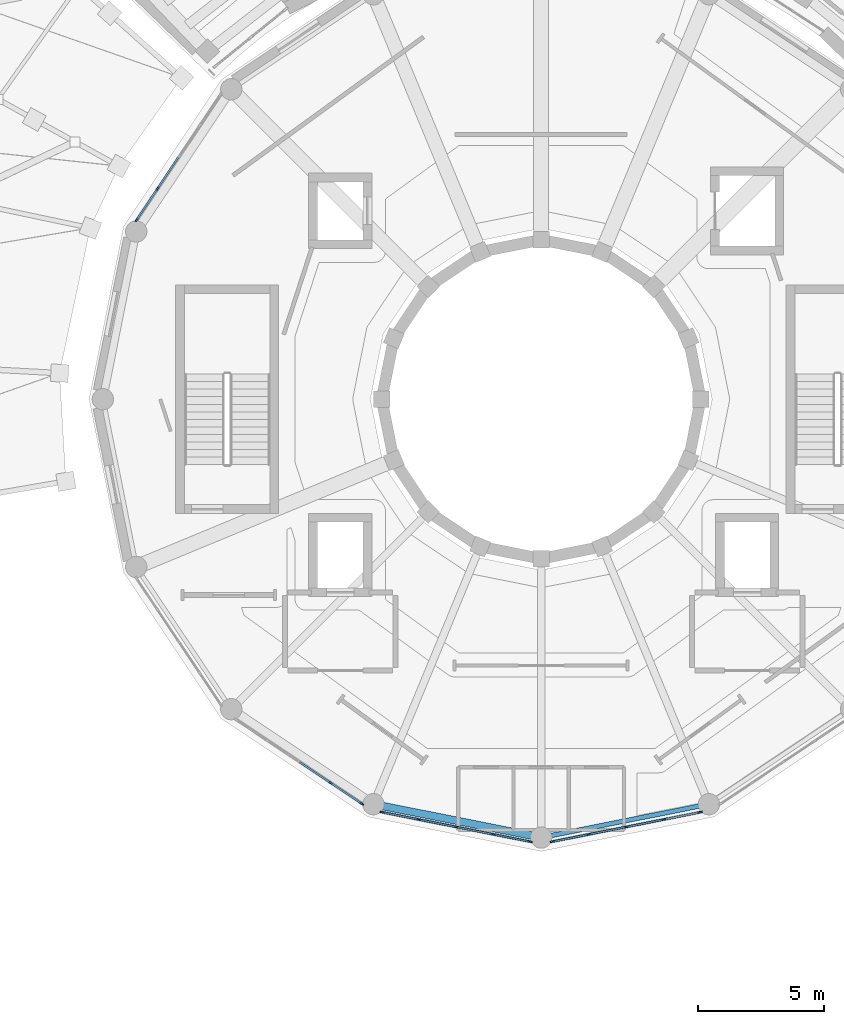
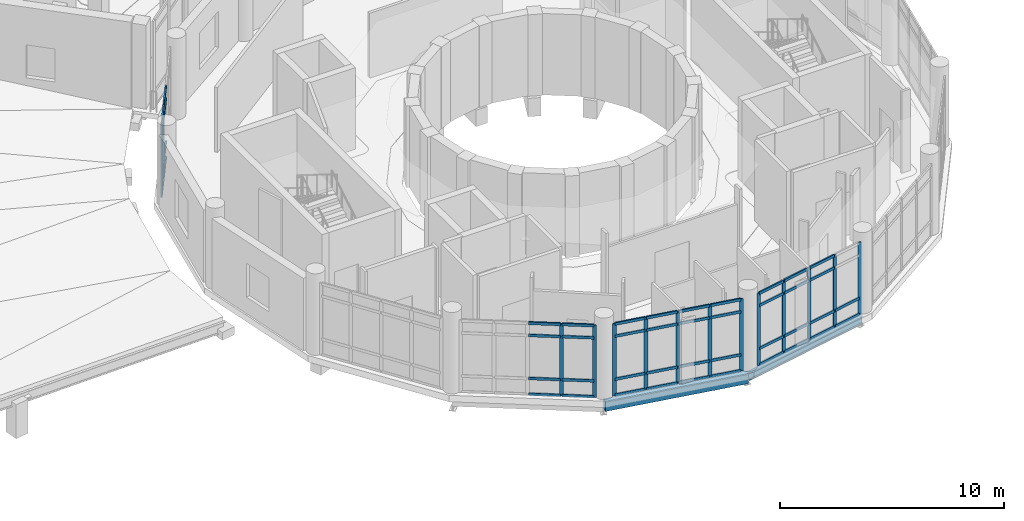
# One storey, part 9 of 49: 60 members, 2 beams, 4 elements without a shape of their own.
"""IFC4 building model written with IfcOpenShell, lengths in metres."""

import ifcopenshell
import ifcopenshell.guid

model = None  # the IFC model being written
_history = None  # IfcOwnerHistory: only IFC2X3 demands one
_inside = {}  # id of a spatial element -> (the spatial element, [elements in it])
_under = {}  # id of a project, library or spatial element -> (it, [spatial elements below it])
_declared = {}  # id of a project -> (the project, [libraries it declares])
_typed = {}  # id of a type object -> (the type object, [elements of that type])
_made_of = {}  # id of a material, layer set ... -> (it, [elements and type objects made of it])


def new_model(schema):
    """Start an empty IFC model of exactly this schema.

    Asked for "IFC4X3", IfcOpenShell would pick the latest addendum, in which some entities
    have other attributes; the version numbers below select the first issue.
    IFC2X3 requires an IfcOwnerHistory on every rooted entity: one is made here for all.
    """
    global model, _history
    if schema == "IFC4X3":
        model = ifcopenshell.file(schema_version=(4, 3, 0, 0))
    else:
        model = ifcopenshell.file(schema=schema)
    _inside.clear()
    _under.clear()
    _declared.clear()
    _typed.clear()
    _made_of.clear()
    _history = None
    if model.schema == "IFC2X3":
        org = make("IfcOrganization", Name="unknown")
        user = make(
            "IfcPersonAndOrganization",
            ThePerson=make("IfcPerson", FamilyName="unknown"),
            TheOrganization=org,
        )
        app = make(
            "IfcApplication",
            ApplicationDeveloper=org,
            Version="unknown",
            ApplicationFullName="unknown",
            ApplicationIdentifier="unknown",
        )
        _history = make(
            "IfcOwnerHistory",
            OwningUser=user,
            OwningApplication=app,
            ChangeAction="ADDED",
            CreationDate=0,
        )
    return model


def make(cls, **values):
    """One entity of the class cls with the attributes given. An attribute that is None is left unset."""
    return model.create_entity(
        cls, **{name: value for name, value in values.items() if value is not None}
    )


def rooted(cls, **values):
    """An entity with a GlobalId (a new one), such as an element, a storey or a relation."""
    return make(cls, GlobalId=ifcopenshell.guid.new(), OwnerHistory=_history, **values)


def si_unit(unit_type, name, prefix=None):
    """IfcSIUnit, for example si_unit("LENGTHUNIT", "METRE", prefix="MILLI")."""
    return make("IfcSIUnit", UnitType=unit_type, Prefix=prefix, Name=name)


def assignment(units):
    """IfcUnitAssignment: the units of a project."""
    return None if units is None else make("IfcUnitAssignment", Units=units)


def point(xyz):
    """IfcCartesianPoint."""
    return None if xyz is None else make("IfcCartesianPoint", Coordinates=xyz)


def direction(xyz):
    """IfcDirection."""
    return None if xyz is None else make("IfcDirection", DirectionRatios=xyz)


def frame(location, z_axis=None, x_axis=None):
    """IfcAxis2Placement3D, a coordinate frame: its origin and axes. An axis left out is left unset."""
    return make(
        "IfcAxis2Placement3D",
        Location=point(location),
        Axis=direction(z_axis),
        RefDirection=direction(x_axis),
    )


def frame_2d(location, x_axis=None):
    """IfcAxis2Placement2D, a coordinate frame in the plane: its origin and x axis."""
    return make(
        "IfcAxis2Placement2D", Location=point(location), RefDirection=direction(x_axis)
    )


def origin():
    """The frame at (0, 0, 0) with its axes left unset."""
    return frame((0.0, 0.0, 0.0))


def origin_2d():
    """The frame at (0, 0) in the plane with its x axis left unset."""
    return frame_2d((0.0, 0.0))


def place(relative_to, where):
    """IfcLocalPlacement: puts the frame where relative to a parent placement (None: the world)."""
    return make(
        "IfcLocalPlacement", PlacementRelTo=relative_to, RelativePlacement=where
    )


def context(
    kind, dimensions, precision=None, world=None, true_north=None, identifier=None
):
    """IfcGeometricRepresentationContext, for example the 3D "Model" context."""
    return make(
        "IfcGeometricRepresentationContext",
        ContextIdentifier=identifier,
        ContextType=kind,
        CoordinateSpaceDimension=dimensions,
        Precision=precision,
        WorldCoordinateSystem=world,
        TrueNorth=true_north,
    )


def subcontext(parent, identifier, kind, view, scale=None):
    """IfcGeometricRepresentationSubContext, for example "Body" below "Model"."""
    return make(
        "IfcGeometricRepresentationSubContext",
        ContextIdentifier=identifier,
        ContextType=kind,
        ParentContext=parent,
        TargetScale=scale,
        TargetView=view,
    )


def project(units=None, contexts=None):
    """IfcProject with its units and contexts."""
    return rooted(
        "IfcProject",
        Name="project",
        RepresentationContexts=contexts,
        UnitsInContext=assignment(units),
    )


def spatial(cls, under=None, at=None, **own):
    """A site, building, storey or space (cls), placed at a placement, below another one or the project."""
    s = rooted(cls, ObjectPlacement=at, **own)
    if under is not None:
        _under.setdefault(under.id(), (under, []))[1].append(s)
    return s


def profile(cls, at=None, kind="AREA", **sizes):
    """A parametric profile (cls). Its sizes go by their IFC names, for example OverallWidth=200.0."""
    return make(cls, ProfileType=kind, Position=at, **sizes)


def rectangle(**sizes):
    """IfcRectangleProfileDef."""
    return profile("IfcRectangleProfileDef", **sizes)


def i_section(**sizes):
    """IfcIShapeProfileDef."""
    return profile("IfcIShapeProfileDef", **sizes)


def extrude(swept, where, along, depth):
    """IfcExtrudedAreaSolid: the profile swept, set in the frame where, extruded along a direction by depth."""
    return make(
        "IfcExtrudedAreaSolid",
        SweptArea=swept,
        Position=where,
        ExtrudedDirection=direction(along),
        Depth=depth,
    )


def shape(context_of_items, identifier, shape_type, items):
    """IfcShapeRepresentation: the items that make up one representation, for example the "Body"."""
    return make(
        "IfcShapeRepresentation",
        ContextOfItems=context_of_items,
        RepresentationIdentifier=identifier,
        RepresentationType=shape_type,
        Items=items,
    )


def material(Name=None, Category=None):
    """IfcMaterial."""
    return make("IfcMaterial", Name=Name, Category=Category)


def material_profile(
    of_material, cross_section, Name=None, Category=None, Priority=None
):
    """IfcMaterialProfile: a cross section and its material."""
    return make(
        "IfcMaterialProfile",
        Name=Name,
        Material=of_material,
        Profile=cross_section,
        Priority=Priority,
        Category=Category,
    )


def profile_set(profiles, Name=None, composite=None):
    """IfcMaterialProfileSet."""
    return make(
        "IfcMaterialProfileSet",
        Name=Name,
        MaterialProfiles=profiles,
        CompositeProfile=composite,
    )


def made_of(thing, what):
    """Note that an element or type object is made of a material, layer set ...; save() writes the relation."""
    if what is not None:
        _made_of.setdefault(what.id(), (what, []))[1].append(thing)
    return thing


def type_object(cls, material=None, **own):
    """A type object (cls), such as IfcWallType, which elements share."""
    return made_of(rooted(cls, **own), material)


def element(
    cls,
    number,
    at=None,
    inside=None,
    cuts=None,
    type_object=None,
    material=None,
    context=None,
    identifier="Body",
    shape_type=None,
    held_by="IfcProductDefinitionShape",
    body=None,
    shapes=None,
    **own,
):
    """One element of the class cls, such as IfcWall. Its Tag is "e" and its number.

    at: its placement. inside: the storey or other place that contains it. cuts: it is an
    opening in that element (IfcRelVoidsElement). A single representation is given by context,
    identifier, shape_type and body (its items); several are given by shapes. held_by: the class
    of the entity that holds the representations. save() writes the other relations.
    """
    e = rooted(cls, Tag="e%d" % number, ObjectPlacement=at, **own)
    if body is not None:
        shapes = [shape(context, identifier, shape_type, body)]
    if shapes is not None:
        e.Representation = make(held_by, Representations=shapes)
    if inside is not None:
        _inside.setdefault(inside.id(), (inside, []))[1].append(e)
    if cuts is not None:
        rooted(
            "IfcRelVoidsElement", RelatingBuildingElement=cuts, RelatedOpeningElement=e
        )
    if type_object is not None:
        _typed.setdefault(type_object.id(), (type_object, []))[1].append(e)
    return made_of(e, material)


def aggregate(whole, parts):
    """IfcRelAggregates: a whole, such as a stair, and the parts it consists of."""
    return rooted("IfcRelAggregates", RelatingObject=whole, RelatedObjects=parts)


def save(model, path):
    """Write the relations noted so far, then the file.

    IfcRelAggregates (storeys below a building ...), IfcRelContainedInSpatialStructure (elements
    in a storey), IfcRelDefinesByType, IfcRelAssociatesMaterial and IfcRelDeclares: one each for
    every whole, place, type object, material and project.
    """
    for whole, parts in _under.values():
        aggregate(whole, parts)
    for where, things in _inside.values():
        rooted(
            "IfcRelContainedInSpatialStructure",
            RelatedElements=things,
            RelatingStructure=where,
        )
    for kind, things in _typed.values():
        rooted("IfcRelDefinesByType", RelatedObjects=things, RelatingType=kind)
    for what, things in _made_of.values():
        rooted("IfcRelAssociatesMaterial", RelatedObjects=things, RelatingMaterial=what)
    for by, libraries in _declared.values():
        rooted("IfcRelDeclares", RelatingContext=by, RelatedDefinitions=libraries)
    model.write(path)


model = new_model("IFC4")

# Units and contexts
model_context = context("Model", 3, precision=1e-05, world=origin(), true_north=direction((0.0, 1.0)))
body_context = subcontext(model_context, "Body", "Model", "MODEL_VIEW")
ifc_project = project(units=[si_unit("LENGTHUNIT", "METRE"), si_unit("AREAUNIT", "SQUARE_METRE"), si_unit("VOLUMEUNIT", "CUBIC_METRE"), si_unit("PLANEANGLEUNIT", "RADIAN"), si_unit("MASSUNIT", "GRAM", prefix="KILO")], contexts=[model_context])

# Site, building, storey
site_placement = place(None, origin())
site = spatial("IfcSite", under=ifc_project, at=site_placement, CompositionType="ELEMENT")
building_placement = place(site_placement, origin())
building = spatial("IfcBuilding", under=site, at=building_placement, Name="Soyqirgoq Riverine Aquarium", CompositionType="ELEMENT")
storey_placement = place(building_placement, frame((0.0, 0.0, 15.0)))
storey = spatial("IfcBuildingStorey", under=building, at=storey_placement, Name="L04", CompositionType="ELEMENT", Elevation=15.0)

# Curtain wall, members
ifc_material_1 = material(Name="Anodised aluminium thermally broken triple low-E glazing", Category="aluminium")
curtain_wall_type = type_object("IfcCurtainWallType", Name="CW_DrumGallery_Unitised", PredefinedType="NOTDEFINED", material=ifc_material_1)
curtain_wall_1_placement = place(storey_placement, origin())
curtain_wall_1 = element("IfcCurtainWall", 1, at=curtain_wall_1_placement, inside=storey, type_object=curtain_wall_type, Name="V1 L04 Curtain Wall 026", PredefinedType="NOTDEFINED")
ifc_material_2 = material(Name="Anodised aluminium 6063-T6", Category="aluminium")
ifc_material_profile_1 = material_profile(ifc_material_2, rectangle(XDim=0.06494140625, YDim=0.179931640625, at=origin_2d()), Name="ALU-M 65x180")
ifc_profile_set_1 = profile_set([ifc_material_profile_1], Name="Anodised aluminium 6063-T6")
member_type_1 = type_object("IfcMemberType", Name="CWMullion_65x180", PredefinedType="MULLION", material=ifc_profile_set_1)
member_1_placement = place(storey_placement, frame((40.72314453125, 65.3837890625, 0.0), z_axis=(0.0, 0.0, 1.0), x_axis=(0.831463994905, -0.555578639957, 0.0)))
member_1 = element("IfcMember", 2, at=member_1_placement, type_object=member_type_1, Name="CW-01 mullion 4", PredefinedType="MULLION", context=body_context, shape_type="SweptSolid", body=[
    extrude(rectangle(XDim=0.06494140625, YDim=0.179931640625, at=origin_2d()), origin(), (0.0, 0.0, 1.0), 3.949951171875),
])
member_2_placement = place(storey_placement, frame((39.898681640625, 64.149658203125, 0.0), z_axis=(0.0, 0.0, 1.0), x_axis=(0.831463994905, -0.555578639957, 0.0)))
member_2 = element("IfcMember", 3, at=member_2_placement, type_object=member_type_1, Name="CW-01 mullion 5", PredefinedType="MULLION", context=body_context, shape_type="SweptSolid", body=[
    extrude(rectangle(XDim=0.06494140625, YDim=0.179931640625, at=origin_2d()), origin(), (0.0, 0.0, 1.0), 3.949951171875),
])

curtain_wall_2_placement = place(storey_placement, origin())
curtain_wall_2 = element("IfcCurtainWall", 4, at=curtain_wall_2_placement, inside=storey, type_object=curtain_wall_type, Name="V1 L04 Curtain Wall 044", PredefinedType="NOTDEFINED")
member_3_placement = place(storey_placement, frame((47.6162109375, 41.72314453125, 0.0), z_axis=(0.0, 0.0, 1.0), x_axis=(0.555578639957, 0.831463994905, 0.0)))
member_3 = element("IfcMember", 5, at=member_3_placement, type_object=member_type_1, Name="CW-01 mullion 4", PredefinedType="MULLION", context=body_context, shape_type="SweptSolid", body=[
    extrude(rectangle(XDim=0.06494140625, YDim=0.179931640625, at=origin_2d()), origin(), (0.0, 0.0, 1.0), 3.949951171875),
])
member_4_placement = place(storey_placement, frame((48.850341796875, 40.898681640625, 0.0), z_axis=(0.0, 0.0, 1.0), x_axis=(0.555578639957, 0.831463994905, 0.0)))
member_4 = element("IfcMember", 6, at=member_4_placement, type_object=member_type_1, Name="CW-01 mullion 5", PredefinedType="MULLION", context=body_context, shape_type="SweptSolid", body=[
    extrude(rectangle(XDim=0.06494140625, YDim=0.179931640625, at=origin_2d()), origin(), (0.0, 0.0, 1.0), 3.949951171875),
])

curtain_wall_3_placement = place(storey_placement, origin())
curtain_wall_3 = element("IfcCurtainWall", 7, at=curtain_wall_3_placement, inside=storey, type_object=curtain_wall_type, Name="V1 L04 Curtain Wall 051", PredefinedType="NOTDEFINED")
member_5_placement = place(storey_placement, frame((49.67041015625, 40.55908203125, 0.0), z_axis=(0.0, 0.0, 1.0), x_axis=(0.195101560405, 0.980783044882, 0.0)))
member_5 = element("IfcMember", 8, at=member_5_placement, type_object=member_type_1, Name="CW-01 mullion 1", PredefinedType="MULLION", context=body_context, shape_type="SweptSolid", body=[
    extrude(rectangle(XDim=0.06494140625, YDim=0.179931640625, at=origin_2d()), origin(), (0.0, 0.0, 1.0), 3.949951171875),
])
member_6_placement = place(storey_placement, frame((51.1259765625, 40.26953125, 0.0), z_axis=(0.0, 0.0, 1.0), x_axis=(0.195101560405, 0.980783044882, 0.0)))
member_6 = element("IfcMember", 9, at=member_6_placement, type_object=member_type_1, Name="CW-01 mullion 2", PredefinedType="MULLION", context=body_context, shape_type="SweptSolid", body=[
    extrude(rectangle(XDim=0.06494140625, YDim=0.179931640625, at=origin_2d()), origin(), (0.0, 0.0, 1.0), 3.949951171875),
])
member_7_placement = place(storey_placement, frame((52.61328125, 39.9736328125, 0.0), z_axis=(0.0, 0.0, 1.0), x_axis=(0.195101560405, 0.980783044882, 0.0)))
member_7 = element("IfcMember", 10, at=member_7_placement, type_object=member_type_1, Name="CW-01 mullion 3", PredefinedType="MULLION", context=body_context, shape_type="SweptSolid", body=[
    extrude(rectangle(XDim=0.06494140625, YDim=0.179931640625, at=origin_2d()), origin(), (0.0, 0.0, 1.0), 3.949951171875),
])
member_8_placement = place(storey_placement, frame((54.1005859375, 39.677734375, 0.0), z_axis=(0.0, 0.0, 1.0), x_axis=(0.195101560405, 0.980783044882, 0.0)))
member_8 = element("IfcMember", 11, at=member_8_placement, type_object=member_type_1, Name="CW-01 mullion 4", PredefinedType="MULLION", context=body_context, shape_type="SweptSolid", body=[
    extrude(rectangle(XDim=0.06494140625, YDim=0.179931640625, at=origin_2d()), origin(), (0.0, 0.0, 1.0), 3.949951171875),
])
member_9_placement = place(storey_placement, frame((55.55615234375, 39.38818359375, 0.0), z_axis=(0.0, 0.0, 1.0), x_axis=(0.195101560405, 0.980783044882, 0.0)))
member_9 = element("IfcMember", 12, at=member_9_placement, type_object=member_type_1, Name="CW-01 mullion 5", PredefinedType="MULLION", context=body_context, shape_type="SweptSolid", body=[
    extrude(rectangle(XDim=0.06494140625, YDim=0.179931640625, at=origin_2d()), origin(), (0.0, 0.0, 1.0), 3.949951171875),
])

curtain_wall_4_placement = place(storey_placement, origin())
curtain_wall_4 = element("IfcCurtainWall", 13, at=curtain_wall_4_placement, inside=storey, type_object=curtain_wall_type, Name="V1 L04 Curtain Wall 058", PredefinedType="NOTDEFINED")
member_10_placement = place(storey_placement, frame((56.44384765625, 39.38818359375, 0.0), z_axis=(0.0, 0.0, 1.0), x_axis=(-0.195101560405, 0.980783044882, 0.0)))
member_10 = element("IfcMember", 14, at=member_10_placement, type_object=member_type_1, Name="CW-01 mullion 1", PredefinedType="MULLION", context=body_context, shape_type="SweptSolid", body=[
    extrude(rectangle(XDim=0.06494140625, YDim=0.179931640625, at=origin_2d()), origin(), (0.0, 0.0, 1.0), 3.949951171875),
])
member_11_placement = place(storey_placement, frame((57.8994140625, 39.677734375, 0.0), z_axis=(0.0, 0.0, 1.0), x_axis=(-0.195101560405, 0.980783044882, 0.0)))
member_11 = element("IfcMember", 15, at=member_11_placement, type_object=member_type_1, Name="CW-01 mullion 2", PredefinedType="MULLION", context=body_context, shape_type="SweptSolid", body=[
    extrude(rectangle(XDim=0.06494140625, YDim=0.179931640625, at=origin_2d()), origin(), (0.0, 0.0, 1.0), 3.949951171875),
])
member_12_placement = place(storey_placement, frame((59.38671875, 39.9736328125, 0.0), z_axis=(0.0, 0.0, 1.0), x_axis=(-0.195101560405, 0.980783044882, 0.0)))
member_12 = element("IfcMember", 16, at=member_12_placement, type_object=member_type_1, Name="CW-01 mullion 3", PredefinedType="MULLION", context=body_context, shape_type="SweptSolid", body=[
    extrude(rectangle(XDim=0.06494140625, YDim=0.179931640625, at=origin_2d()), origin(), (0.0, 0.0, 1.0), 3.949951171875),
])
member_13_placement = place(storey_placement, frame((60.8740234375, 40.26953125, 0.0), z_axis=(0.0, 0.0, 1.0), x_axis=(-0.195101560405, 0.980783044882, 0.0)))
member_13 = element("IfcMember", 17, at=member_13_placement, type_object=member_type_1, Name="CW-01 mullion 4", PredefinedType="MULLION", context=body_context, shape_type="SweptSolid", body=[
    extrude(rectangle(XDim=0.06494140625, YDim=0.179931640625, at=origin_2d()), origin(), (0.0, 0.0, 1.0), 3.949951171875),
])
member_14_placement = place(storey_placement, frame((62.32958984375, 40.55908203125, 0.0), z_axis=(0.0, 0.0, 1.0), x_axis=(-0.195101560405, 0.980783044882, 0.0)))
member_14 = element("IfcMember", 18, at=member_14_placement, type_object=member_type_1, Name="CW-01 mullion 5", PredefinedType="MULLION", context=body_context, shape_type="SweptSolid", body=[
    extrude(rectangle(XDim=0.06494140625, YDim=0.179931640625, at=origin_2d()), origin(), (0.0, 0.0, 1.0), 3.949951171875),
])

# Member
ifc_material_3 = material(Name="Anodised aluminium 6063-T6", Category="aluminium")
ifc_material_profile_2 = material_profile(ifc_material_3, rectangle(XDim=0.074951171875, YDim=0.14990234375, at=origin_2d()), Name="ALU-T 75x150")
ifc_profile_set_2 = profile_set([ifc_material_profile_2], Name="Anodised aluminium 6063-T6")
member_type_2 = type_object("IfcMemberType", Name="CWTransom_75x150", PredefinedType="USERDEFINED", material=ifc_profile_set_2)
member_15_placement = place(storey_placement, frame((41.547607421875, 66.61767578125, 0.03759765625), z_axis=(-0.555514980368, -0.831506528289, 0.0), x_axis=(0.831506528289, -0.555514980368, 0.0)))
member_15 = element("IfcMember", 19, at=member_15_placement, type_object=member_type_2, Name="CW-01 transom 3.1", ObjectType="TRANSOM", PredefinedType="USERDEFINED", context=body_context, shape_type="SweptSolid", body=[
    extrude(rectangle(XDim=0.074951171875, YDim=0.14990234375, at=origin_2d()), origin(), (0.0, 0.0, 1.0), 1.45166015625),
])

member_16_placement = place(storey_placement, frame((41.547607421875, 66.61767578125, 0.89990234375), z_axis=(-0.555514980368, -0.831506528289, 0.0), x_axis=(0.831506528289, -0.555514980368, 0.0)))
member_16 = element("IfcMember", 20, at=member_16_placement, type_object=member_type_2, Name="CW-01 transom 3.2", ObjectType="TRANSOM", PredefinedType="USERDEFINED", context=body_context, shape_type="SweptSolid", body=[
    extrude(rectangle(XDim=0.074951171875, YDim=0.14990234375, at=origin_2d()), origin(), (0.0, 0.0, 1.0), 1.45166015625),
])

member_17_placement = place(storey_placement, frame((41.547607421875, 66.61767578125, 3.25), z_axis=(-0.555514980368, -0.831506528289, 0.0), x_axis=(0.831506528289, -0.555514980368, 0.0)))
member_17 = element("IfcMember", 21, at=member_17_placement, type_object=member_type_2, Name="CW-01 transom 3.3", ObjectType="TRANSOM", PredefinedType="USERDEFINED", context=body_context, shape_type="SweptSolid", body=[
    extrude(rectangle(XDim=0.074951171875, YDim=0.14990234375, at=origin_2d()), origin(), (0.0, 0.0, 1.0), 1.45166015625),
])

member_18_placement = place(storey_placement, frame((41.547607421875, 66.61767578125, 3.91259765625), z_axis=(-0.555514980368, -0.831506528289, 0.0), x_axis=(0.831506528289, -0.555514980368, 0.0)))
member_18 = element("IfcMember", 22, at=member_18_placement, type_object=member_type_2, Name="CW-01 transom 3.4", ObjectType="TRANSOM", PredefinedType="USERDEFINED", context=body_context, shape_type="SweptSolid", body=[
    extrude(rectangle(XDim=0.074951171875, YDim=0.14990234375, at=origin_2d()), origin(), (0.0, 0.0, 1.0), 1.45166015625),
])

member_19_placement = place(storey_placement, frame((40.705078125, 65.356689453125, 0.03759765625), z_axis=(-0.55553367483, -0.831494038542, 0.0), x_axis=(0.831494038542, -0.55553367483, 0.0)))
member_19 = element("IfcMember", 23, at=member_19_placement, type_object=member_type_2, Name="CW-01 transom 4.1", ObjectType="TRANSOM", PredefinedType="USERDEFINED", context=body_context, shape_type="SweptSolid", body=[
    extrude(rectangle(XDim=0.074951171875, YDim=0.14990234375, at=origin_2d()), origin(), (0.0, 0.0, 1.0), 1.4189453125),
])

member_20_placement = place(storey_placement, frame((40.705078125, 65.356689453125, 0.89990234375), z_axis=(-0.55553367483, -0.831494038542, 0.0), x_axis=(0.831494038542, -0.55553367483, 0.0)))
member_20 = element("IfcMember", 24, at=member_20_placement, type_object=member_type_2, Name="CW-01 transom 4.2", ObjectType="TRANSOM", PredefinedType="USERDEFINED", context=body_context, shape_type="SweptSolid", body=[
    extrude(rectangle(XDim=0.074951171875, YDim=0.14990234375, at=origin_2d()), origin(), (0.0, 0.0, 1.0), 1.4189453125),
])

member_21_placement = place(storey_placement, frame((40.705078125, 65.356689453125, 3.25), z_axis=(-0.55553367483, -0.831494038542, 0.0), x_axis=(0.831494038542, -0.55553367483, 0.0)))
member_21 = element("IfcMember", 25, at=member_21_placement, type_object=member_type_2, Name="CW-01 transom 4.3", ObjectType="TRANSOM", PredefinedType="USERDEFINED", context=body_context, shape_type="SweptSolid", body=[
    extrude(rectangle(XDim=0.074951171875, YDim=0.14990234375, at=origin_2d()), origin(), (0.0, 0.0, 1.0), 1.4189453125),
])

member_22_placement = place(storey_placement, frame((40.705078125, 65.356689453125, 3.91259765625), z_axis=(-0.55553367483, -0.831494038542, 0.0), x_axis=(0.831494038542, -0.55553367483, 0.0)))
member_22 = element("IfcMember", 26, at=member_22_placement, type_object=member_type_2, Name="CW-01 transom 4.4", ObjectType="TRANSOM", PredefinedType="USERDEFINED", context=body_context, shape_type="SweptSolid", body=[
    extrude(rectangle(XDim=0.074951171875, YDim=0.14990234375, at=origin_2d()), origin(), (0.0, 0.0, 1.0), 1.4189453125),
])

aggregate(curtain_wall_1, [member_1, member_2, member_15, member_16, member_17, member_18, member_19, member_20, member_21, member_22])

member_23_placement = place(storey_placement, frame((46.38232421875, 42.547607421875, 0.03759765625), z_axis=(0.831506528289, -0.555514980368, 0.0), x_axis=(0.555514980368, 0.831506528289, 0.0)))
member_23 = element("IfcMember", 27, at=member_23_placement, type_object=member_type_2, Name="CW-01 transom 3.1", ObjectType="TRANSOM", PredefinedType="USERDEFINED", context=body_context, shape_type="SweptSolid", body=[
    extrude(rectangle(XDim=0.074951171875, YDim=0.14990234375, at=origin_2d()), origin(), (0.0, 0.0, 1.0), 1.45166015625),
])

member_24_placement = place(storey_placement, frame((46.38232421875, 42.547607421875, 0.89990234375), z_axis=(0.831506528289, -0.555514980368, 0.0), x_axis=(0.555514980368, 0.831506528289, 0.0)))
member_24 = element("IfcMember", 28, at=member_24_placement, type_object=member_type_2, Name="CW-01 transom 3.2", ObjectType="TRANSOM", PredefinedType="USERDEFINED", context=body_context, shape_type="SweptSolid", body=[
    extrude(rectangle(XDim=0.074951171875, YDim=0.14990234375, at=origin_2d()), origin(), (0.0, 0.0, 1.0), 1.45166015625),
])

member_25_placement = place(storey_placement, frame((46.38232421875, 42.547607421875, 3.25), z_axis=(0.831506528289, -0.555514980368, 0.0), x_axis=(0.555514980368, 0.831506528289, 0.0)))
member_25 = element("IfcMember", 29, at=member_25_placement, type_object=member_type_2, Name="CW-01 transom 3.3", ObjectType="TRANSOM", PredefinedType="USERDEFINED", context=body_context, shape_type="SweptSolid", body=[
    extrude(rectangle(XDim=0.074951171875, YDim=0.14990234375, at=origin_2d()), origin(), (0.0, 0.0, 1.0), 1.45166015625),
])

member_26_placement = place(storey_placement, frame((46.38232421875, 42.547607421875, 3.91259765625), z_axis=(0.831506528289, -0.555514980368, 0.0), x_axis=(0.555514980368, 0.831506528289, 0.0)))
member_26 = element("IfcMember", 30, at=member_26_placement, type_object=member_type_2, Name="CW-01 transom 3.4", ObjectType="TRANSOM", PredefinedType="USERDEFINED", context=body_context, shape_type="SweptSolid", body=[
    extrude(rectangle(XDim=0.074951171875, YDim=0.14990234375, at=origin_2d()), origin(), (0.0, 0.0, 1.0), 1.45166015625),
])

member_27_placement = place(storey_placement, frame((47.643310546875, 41.705078125, 0.03759765625), z_axis=(0.831494038542, -0.55553367483, 0.0), x_axis=(0.55553367483, 0.831494038542, 0.0)))
member_27 = element("IfcMember", 31, at=member_27_placement, type_object=member_type_2, Name="CW-01 transom 4.1", ObjectType="TRANSOM", PredefinedType="USERDEFINED", context=body_context, shape_type="SweptSolid", body=[
    extrude(rectangle(XDim=0.074951171875, YDim=0.14990234375, at=origin_2d()), origin(), (0.0, 0.0, 1.0), 1.4189453125),
])

member_28_placement = place(storey_placement, frame((47.643310546875, 41.705078125, 0.89990234375), z_axis=(0.831494038542, -0.55553367483, 0.0), x_axis=(0.55553367483, 0.831494038542, 0.0)))
member_28 = element("IfcMember", 32, at=member_28_placement, type_object=member_type_2, Name="CW-01 transom 4.2", ObjectType="TRANSOM", PredefinedType="USERDEFINED", context=body_context, shape_type="SweptSolid", body=[
    extrude(rectangle(XDim=0.074951171875, YDim=0.14990234375, at=origin_2d()), origin(), (0.0, 0.0, 1.0), 1.4189453125),
])

member_29_placement = place(storey_placement, frame((47.643310546875, 41.705078125, 3.25), z_axis=(0.831494038542, -0.55553367483, 0.0), x_axis=(0.55553367483, 0.831494038542, 0.0)))
member_29 = element("IfcMember", 33, at=member_29_placement, type_object=member_type_2, Name="CW-01 transom 4.3", ObjectType="TRANSOM", PredefinedType="USERDEFINED", context=body_context, shape_type="SweptSolid", body=[
    extrude(rectangle(XDim=0.074951171875, YDim=0.14990234375, at=origin_2d()), origin(), (0.0, 0.0, 1.0), 1.4189453125),
])

member_30_placement = place(storey_placement, frame((47.643310546875, 41.705078125, 3.91259765625), z_axis=(0.831494038542, -0.55553367483, 0.0), x_axis=(0.55553367483, 0.831494038542, 0.0)))
member_30 = element("IfcMember", 34, at=member_30_placement, type_object=member_type_2, Name="CW-01 transom 4.4", ObjectType="TRANSOM", PredefinedType="USERDEFINED", context=body_context, shape_type="SweptSolid", body=[
    extrude(rectangle(XDim=0.074951171875, YDim=0.14990234375, at=origin_2d()), origin(), (0.0, 0.0, 1.0), 1.4189453125),
])

aggregate(curtain_wall_2, [member_3, member_4, member_23, member_24, member_25, member_26, member_27, member_28, member_29, member_30])

member_31_placement = place(storey_placement, frame((49.7021484375, 40.552734375, 0.03759765625), z_axis=(0.980785260864, -0.195090420246, 0.0), x_axis=(0.195090420246, 0.980785260864, 0.0)))
member_31 = element("IfcMember", 35, at=member_31_placement, type_object=member_type_2, Name="CW-01 transom 1.1", ObjectType="TRANSOM", PredefinedType="USERDEFINED", context=body_context, shape_type="SweptSolid", body=[
    extrude(rectangle(XDim=0.074951171875, YDim=0.14990234375, at=origin_2d()), origin(), (0.0, 0.0, 1.0), 1.419189453125),
])

member_32_placement = place(storey_placement, frame((49.7021484375, 40.552734375, 0.89990234375), z_axis=(0.980785260864, -0.195090420246, 0.0), x_axis=(0.195090420246, 0.980785260864, 0.0)))
member_32 = element("IfcMember", 36, at=member_32_placement, type_object=member_type_2, Name="CW-01 transom 1.2", ObjectType="TRANSOM", PredefinedType="USERDEFINED", context=body_context, shape_type="SweptSolid", body=[
    extrude(rectangle(XDim=0.074951171875, YDim=0.14990234375, at=origin_2d()), origin(), (0.0, 0.0, 1.0), 1.419189453125),
])

member_33_placement = place(storey_placement, frame((49.7021484375, 40.552734375, 3.25), z_axis=(0.980785260864, -0.195090420246, 0.0), x_axis=(0.195090420246, 0.980785260864, 0.0)))
member_33 = element("IfcMember", 37, at=member_33_placement, type_object=member_type_2, Name="CW-01 transom 1.3", ObjectType="TRANSOM", PredefinedType="USERDEFINED", context=body_context, shape_type="SweptSolid", body=[
    extrude(rectangle(XDim=0.074951171875, YDim=0.14990234375, at=origin_2d()), origin(), (0.0, 0.0, 1.0), 1.419189453125),
])

member_34_placement = place(storey_placement, frame((49.7021484375, 40.552734375, 3.91259765625), z_axis=(0.980785260864, -0.195090420246, 0.0), x_axis=(0.195090420246, 0.980785260864, 0.0)))
member_34 = element("IfcMember", 38, at=member_34_placement, type_object=member_type_2, Name="CW-01 transom 1.4", ObjectType="TRANSOM", PredefinedType="USERDEFINED", context=body_context, shape_type="SweptSolid", body=[
    extrude(rectangle(XDim=0.074951171875, YDim=0.14990234375, at=origin_2d()), origin(), (0.0, 0.0, 1.0), 1.419189453125),
])

member_35_placement = place(storey_placement, frame((51.15771484375, 40.26318359375, 0.03759765625), z_axis=(0.980780710478, -0.195113295173, 0.0), x_axis=(0.195113295173, 0.980780710478, 0.0)))
member_35 = element("IfcMember", 39, at=member_35_placement, type_object=member_type_2, Name="CW-01 transom 2.1", ObjectType="TRANSOM", PredefinedType="USERDEFINED", context=body_context, shape_type="SweptSolid", body=[
    extrude(rectangle(XDim=0.074951171875, YDim=0.14990234375, at=origin_2d()), origin(), (0.0, 0.0, 1.0), 1.451416015625),
])

member_36_placement = place(storey_placement, frame((51.15771484375, 40.26318359375, 0.89990234375), z_axis=(0.980780710478, -0.195113295173, 0.0), x_axis=(0.195113295173, 0.980780710478, 0.0)))
member_36 = element("IfcMember", 40, at=member_36_placement, type_object=member_type_2, Name="CW-01 transom 2.2", ObjectType="TRANSOM", PredefinedType="USERDEFINED", context=body_context, shape_type="SweptSolid", body=[
    extrude(rectangle(XDim=0.074951171875, YDim=0.14990234375, at=origin_2d()), origin(), (0.0, 0.0, 1.0), 1.451416015625),
])

member_37_placement = place(storey_placement, frame((51.15771484375, 40.26318359375, 3.25), z_axis=(0.980780710478, -0.195113295173, 0.0), x_axis=(0.195113295173, 0.980780710478, 0.0)))
member_37 = element("IfcMember", 41, at=member_37_placement, type_object=member_type_2, Name="CW-01 transom 2.3", ObjectType="TRANSOM", PredefinedType="USERDEFINED", context=body_context, shape_type="SweptSolid", body=[
    extrude(rectangle(XDim=0.074951171875, YDim=0.14990234375, at=origin_2d()), origin(), (0.0, 0.0, 1.0), 1.451416015625),
])

member_38_placement = place(storey_placement, frame((51.15771484375, 40.26318359375, 3.91259765625), z_axis=(0.980780710478, -0.195113295173, 0.0), x_axis=(0.195113295173, 0.980780710478, 0.0)))
member_38 = element("IfcMember", 42, at=member_38_placement, type_object=member_type_2, Name="CW-01 transom 2.4", ObjectType="TRANSOM", PredefinedType="USERDEFINED", context=body_context, shape_type="SweptSolid", body=[
    extrude(rectangle(XDim=0.074951171875, YDim=0.14990234375, at=origin_2d()), origin(), (0.0, 0.0, 1.0), 1.451416015625),
])

member_39_placement = place(storey_placement, frame((52.64501953125, 39.96728515625, 0.03759765625), z_axis=(0.980787112176, -0.195081112847, 0.0), x_axis=(0.195081112847, 0.980787112176, 0.0)))
member_39 = element("IfcMember", 43, at=member_39_placement, type_object=member_type_2, Name="CW-01 transom 3.1", ObjectType="TRANSOM", PredefinedType="USERDEFINED", context=body_context, shape_type="SweptSolid", body=[
    extrude(rectangle(XDim=0.074951171875, YDim=0.14990234375, at=origin_2d()), origin(), (0.0, 0.0, 1.0), 1.45166015625),
])

member_40_placement = place(storey_placement, frame((52.64501953125, 39.96728515625, 0.89990234375), z_axis=(0.980787112176, -0.195081112847, 0.0), x_axis=(0.195081112847, 0.980787112176, 0.0)))
member_40 = element("IfcMember", 44, at=member_40_placement, type_object=member_type_2, Name="CW-01 transom 3.2", ObjectType="TRANSOM", PredefinedType="USERDEFINED", context=body_context, shape_type="SweptSolid", body=[
    extrude(rectangle(XDim=0.074951171875, YDim=0.14990234375, at=origin_2d()), origin(), (0.0, 0.0, 1.0), 1.45166015625),
])

member_41_placement = place(storey_placement, frame((52.64501953125, 39.96728515625, 3.25), z_axis=(0.980787112176, -0.195081112847, 0.0), x_axis=(0.195081112847, 0.980787112176, 0.0)))
member_41 = element("IfcMember", 45, at=member_41_placement, type_object=member_type_2, Name="CW-01 transom 3.3", ObjectType="TRANSOM", PredefinedType="USERDEFINED", context=body_context, shape_type="SweptSolid", body=[
    extrude(rectangle(XDim=0.074951171875, YDim=0.14990234375, at=origin_2d()), origin(), (0.0, 0.0, 1.0), 1.45166015625),
])

member_42_placement = place(storey_placement, frame((52.64501953125, 39.96728515625, 3.91259765625), z_axis=(0.980787112176, -0.195081112847, 0.0), x_axis=(0.195081112847, 0.980787112176, 0.0)))
member_42 = element("IfcMember", 46, at=member_42_placement, type_object=member_type_2, Name="CW-01 transom 3.4", ObjectType="TRANSOM", PredefinedType="USERDEFINED", context=body_context, shape_type="SweptSolid", body=[
    extrude(rectangle(XDim=0.074951171875, YDim=0.14990234375, at=origin_2d()), origin(), (0.0, 0.0, 1.0), 1.45166015625),
])

member_43_placement = place(storey_placement, frame((54.132568359375, 39.67138671875, 0.03759765625), z_axis=(0.980778711416, -0.19512334364, 0.0), x_axis=(0.19512334364, 0.980778711416, 0.0)))
member_43 = element("IfcMember", 47, at=member_43_placement, type_object=member_type_2, Name="CW-01 transom 4.1", ObjectType="TRANSOM", PredefinedType="USERDEFINED", context=body_context, shape_type="SweptSolid", body=[
    extrude(rectangle(XDim=0.074951171875, YDim=0.14990234375, at=origin_2d()), origin(), (0.0, 0.0, 1.0), 1.4189453125),
])

member_44_placement = place(storey_placement, frame((54.132568359375, 39.67138671875, 0.89990234375), z_axis=(0.980778711416, -0.19512334364, 0.0), x_axis=(0.19512334364, 0.980778711416, 0.0)))
member_44 = element("IfcMember", 48, at=member_44_placement, type_object=member_type_2, Name="CW-01 transom 4.2", ObjectType="TRANSOM", PredefinedType="USERDEFINED", context=body_context, shape_type="SweptSolid", body=[
    extrude(rectangle(XDim=0.074951171875, YDim=0.14990234375, at=origin_2d()), origin(), (0.0, 0.0, 1.0), 1.4189453125),
])

member_45_placement = place(storey_placement, frame((54.132568359375, 39.67138671875, 3.25), z_axis=(0.980778711416, -0.19512334364, 0.0), x_axis=(0.19512334364, 0.980778711416, 0.0)))
member_45 = element("IfcMember", 49, at=member_45_placement, type_object=member_type_2, Name="CW-01 transom 4.3", ObjectType="TRANSOM", PredefinedType="USERDEFINED", context=body_context, shape_type="SweptSolid", body=[
    extrude(rectangle(XDim=0.074951171875, YDim=0.14990234375, at=origin_2d()), origin(), (0.0, 0.0, 1.0), 1.4189453125),
])

member_46_placement = place(storey_placement, frame((54.132568359375, 39.67138671875, 3.91259765625), z_axis=(0.980778711416, -0.19512334364, 0.0), x_axis=(0.19512334364, 0.980778711416, 0.0)))
member_46 = element("IfcMember", 50, at=member_46_placement, type_object=member_type_2, Name="CW-01 transom 4.4", ObjectType="TRANSOM", PredefinedType="USERDEFINED", context=body_context, shape_type="SweptSolid", body=[
    extrude(rectangle(XDim=0.074951171875, YDim=0.14990234375, at=origin_2d()), origin(), (0.0, 0.0, 1.0), 1.4189453125),
])

aggregate(curtain_wall_3, [member_5, member_6, member_7, member_8, member_9, member_31, member_32, member_33, member_34, member_35, member_36, member_37, member_38, member_39, member_40, member_41, member_42, member_43, member_44, member_45, member_46])

member_47_placement = place(storey_placement, frame((56.475830078125, 39.39453125, 0.03759765625), z_axis=(0.980778711416, 0.19512334364, 0.0), x_axis=(-0.19512334364, 0.980778711416, 0.0)))
member_47 = element("IfcMember", 51, at=member_47_placement, type_object=member_type_2, Name="CW-01 transom 1.1", ObjectType="TRANSOM", PredefinedType="USERDEFINED", context=body_context, shape_type="SweptSolid", body=[
    extrude(rectangle(XDim=0.074951171875, YDim=0.14990234375, at=origin_2d()), origin(), (0.0, 0.0, 1.0), 1.4189453125),
])

member_48_placement = place(storey_placement, frame((56.475830078125, 39.39453125, 0.89990234375), z_axis=(0.980778711416, 0.19512334364, 0.0), x_axis=(-0.19512334364, 0.980778711416, 0.0)))
member_48 = element("IfcMember", 52, at=member_48_placement, type_object=member_type_2, Name="CW-01 transom 1.2", ObjectType="TRANSOM", PredefinedType="USERDEFINED", context=body_context, shape_type="SweptSolid", body=[
    extrude(rectangle(XDim=0.074951171875, YDim=0.14990234375, at=origin_2d()), origin(), (0.0, 0.0, 1.0), 1.4189453125),
])

member_49_placement = place(storey_placement, frame((56.475830078125, 39.39453125, 3.25), z_axis=(0.980778711416, 0.19512334364, 0.0), x_axis=(-0.19512334364, 0.980778711416, 0.0)))
member_49 = element("IfcMember", 53, at=member_49_placement, type_object=member_type_2, Name="CW-01 transom 1.3", ObjectType="TRANSOM", PredefinedType="USERDEFINED", context=body_context, shape_type="SweptSolid", body=[
    extrude(rectangle(XDim=0.074951171875, YDim=0.14990234375, at=origin_2d()), origin(), (0.0, 0.0, 1.0), 1.4189453125),
])

member_50_placement = place(storey_placement, frame((56.475830078125, 39.39453125, 3.91259765625), z_axis=(0.980778711416, 0.19512334364, 0.0), x_axis=(-0.19512334364, 0.980778711416, 0.0)))
member_50 = element("IfcMember", 54, at=member_50_placement, type_object=member_type_2, Name="CW-01 transom 1.4", ObjectType="TRANSOM", PredefinedType="USERDEFINED", context=body_context, shape_type="SweptSolid", body=[
    extrude(rectangle(XDim=0.074951171875, YDim=0.14990234375, at=origin_2d()), origin(), (0.0, 0.0, 1.0), 1.4189453125),
])

member_51_placement = place(storey_placement, frame((57.93115234375, 39.68408203125, 0.03759765625), z_axis=(0.980787112176, 0.195081112847, 0.0), x_axis=(-0.195081112847, 0.980787112176, 0.0)))
member_51 = element("IfcMember", 55, at=member_51_placement, type_object=member_type_2, Name="CW-01 transom 2.1", ObjectType="TRANSOM", PredefinedType="USERDEFINED", context=body_context, shape_type="SweptSolid", body=[
    extrude(rectangle(XDim=0.074951171875, YDim=0.14990234375, at=origin_2d()), origin(), (0.0, 0.0, 1.0), 1.45166015625),
])

member_52_placement = place(storey_placement, frame((57.93115234375, 39.68408203125, 0.89990234375), z_axis=(0.980787112176, 0.195081112847, 0.0), x_axis=(-0.195081112847, 0.980787112176, 0.0)))
member_52 = element("IfcMember", 56, at=member_52_placement, type_object=member_type_2, Name="CW-01 transom 2.2", ObjectType="TRANSOM", PredefinedType="USERDEFINED", context=body_context, shape_type="SweptSolid", body=[
    extrude(rectangle(XDim=0.074951171875, YDim=0.14990234375, at=origin_2d()), origin(), (0.0, 0.0, 1.0), 1.45166015625),
])

member_53_placement = place(storey_placement, frame((57.93115234375, 39.68408203125, 3.25), z_axis=(0.980787112176, 0.195081112847, 0.0), x_axis=(-0.195081112847, 0.980787112176, 0.0)))
member_53 = element("IfcMember", 57, at=member_53_placement, type_object=member_type_2, Name="CW-01 transom 2.3", ObjectType="TRANSOM", PredefinedType="USERDEFINED", context=body_context, shape_type="SweptSolid", body=[
    extrude(rectangle(XDim=0.074951171875, YDim=0.14990234375, at=origin_2d()), origin(), (0.0, 0.0, 1.0), 1.45166015625),
])

member_54_placement = place(storey_placement, frame((57.93115234375, 39.68408203125, 3.91259765625), z_axis=(0.980787112176, 0.195081112847, 0.0), x_axis=(-0.195081112847, 0.980787112176, 0.0)))
member_54 = element("IfcMember", 58, at=member_54_placement, type_object=member_type_2, Name="CW-01 transom 2.4", ObjectType="TRANSOM", PredefinedType="USERDEFINED", context=body_context, shape_type="SweptSolid", body=[
    extrude(rectangle(XDim=0.074951171875, YDim=0.14990234375, at=origin_2d()), origin(), (0.0, 0.0, 1.0), 1.45166015625),
])

member_55_placement = place(storey_placement, frame((59.418701171875, 39.97998046875, 0.03759765625), z_axis=(0.980780710478, 0.195113295173, 0.0), x_axis=(-0.195113295173, 0.980780710478, 0.0)))
member_55 = element("IfcMember", 59, at=member_55_placement, type_object=member_type_2, Name="CW-01 transom 3.1", ObjectType="TRANSOM", PredefinedType="USERDEFINED", context=body_context, shape_type="SweptSolid", body=[
    extrude(rectangle(XDim=0.074951171875, YDim=0.14990234375, at=origin_2d()), origin(), (0.0, 0.0, 1.0), 1.451416015625),
])

member_56_placement = place(storey_placement, frame((59.418701171875, 39.97998046875, 0.89990234375), z_axis=(0.980780710478, 0.195113295173, 0.0), x_axis=(-0.195113295173, 0.980780710478, 0.0)))
member_56 = element("IfcMember", 60, at=member_56_placement, type_object=member_type_2, Name="CW-01 transom 3.2", ObjectType="TRANSOM", PredefinedType="USERDEFINED", context=body_context, shape_type="SweptSolid", body=[
    extrude(rectangle(XDim=0.074951171875, YDim=0.14990234375, at=origin_2d()), origin(), (0.0, 0.0, 1.0), 1.451416015625),
])

member_57_placement = place(storey_placement, frame((59.418701171875, 39.97998046875, 3.25), z_axis=(0.980780710478, 0.195113295173, 0.0), x_axis=(-0.195113295173, 0.980780710478, 0.0)))
member_57 = element("IfcMember", 61, at=member_57_placement, type_object=member_type_2, Name="CW-01 transom 3.3", ObjectType="TRANSOM", PredefinedType="USERDEFINED", context=body_context, shape_type="SweptSolid", body=[
    extrude(rectangle(XDim=0.074951171875, YDim=0.14990234375, at=origin_2d()), origin(), (0.0, 0.0, 1.0), 1.451416015625),
])

member_58_placement = place(storey_placement, frame((59.418701171875, 39.97998046875, 3.91259765625), z_axis=(0.980780710478, 0.195113295173, 0.0), x_axis=(-0.195113295173, 0.980780710478, 0.0)))
member_58 = element("IfcMember", 62, at=member_58_placement, type_object=member_type_2, Name="CW-01 transom 3.4", ObjectType="TRANSOM", PredefinedType="USERDEFINED", context=body_context, shape_type="SweptSolid", body=[
    extrude(rectangle(XDim=0.074951171875, YDim=0.14990234375, at=origin_2d()), origin(), (0.0, 0.0, 1.0), 1.451416015625),
])

member_59_placement = place(storey_placement, frame((60.906005859375, 40.27587890625, 0.03759765625), z_axis=(0.980785260864, 0.195090420246, 0.0), x_axis=(-0.195090420246, 0.980785260864, 0.0)))
member_59 = element("IfcMember", 63, at=member_59_placement, type_object=member_type_2, Name="CW-01 transom 4.1", ObjectType="TRANSOM", PredefinedType="USERDEFINED", context=body_context, shape_type="SweptSolid", body=[
    extrude(rectangle(XDim=0.074951171875, YDim=0.14990234375, at=origin_2d()), origin(), (0.0, 0.0, 1.0), 1.419189453125),
])

member_60_placement = place(storey_placement, frame((60.906005859375, 40.27587890625, 0.89990234375), z_axis=(0.980785260864, 0.195090420246, 0.0), x_axis=(-0.195090420246, 0.980785260864, 0.0)))
member_60 = element("IfcMember", 64, at=member_60_placement, type_object=member_type_2, Name="CW-01 transom 4.2", ObjectType="TRANSOM", PredefinedType="USERDEFINED", context=body_context, shape_type="SweptSolid", body=[
    extrude(rectangle(XDim=0.074951171875, YDim=0.14990234375, at=origin_2d()), origin(), (0.0, 0.0, 1.0), 1.419189453125),
])

aggregate(curtain_wall_4, [member_10, member_11, member_12, member_13, member_14, member_47, member_48, member_49, member_50, member_51, member_52, member_53, member_54, member_55, member_56, member_57, member_58, member_59, member_60])

# Beams
ifc_material_4 = material(Name="Concrete C40/50", Category="concrete")
ifc_material_profile_3 = material_profile(ifc_material_4, rectangle(XDim=0.300048828125, YDim=0.5, at=origin_2d()), Name="RC 300x500")
ifc_profile_set_3 = profile_set([ifc_material_profile_3], Name="Concrete C40/50")
beam_type_1 = type_object("IfcBeamType", Name="Spandrel_RC_300x500", PredefinedType="SPANDREL", material=ifc_profile_set_3)
beam_1_placement = place(storey_placement, frame((49.341796875, 40.87451171875, -0.60009765625), z_axis=(0.980784073274, -0.195096390568, 0.0), x_axis=(0.195096390568, 0.980784073274, 0.0)))
element("IfcBeam", 65, at=beam_1_placement, inside=storey, type_object=beam_type_1, Name="V1 L04 Drum Spandrel Beam 0107", PredefinedType="SPANDREL", context=body_context, shape_type="SweptSolid", body=[
    extrude(rectangle(XDim=0.300048828125, YDim=0.5, at=origin_2d()), origin(), (0.0, 0.0, 1.0), 6.768798828125),
])
ifc_material_5 = material(Name="Structural steel S355", Category="steel")
ifc_material_profile_4 = material_profile(ifc_material_5, i_section(OverallWidth=0.179931640625, OverallDepth=0.39990234375, WebThickness=0.008544921875, FlangeThickness=0.013427734375, FilletRadius=0.02099609375, at=origin_2d()), Name="IPE 400")
ifc_profile_set_4 = profile_set([ifc_material_profile_4], Name="Structural steel S355")
beam_type_2 = type_object("IfcBeamType", Name="Spandrel_Steel_IPE400", PredefinedType="SPANDREL", material=ifc_profile_set_4)
beam_2_placement = place(storey_placement, frame((56.01953125, 39.553955078125, -0.550048828125), z_axis=(0.980784073274, 0.195096390568, 0.0), x_axis=(-0.195096390568, 0.980784073274, 0.0)))
element("IfcBeam", 66, at=beam_2_placement, inside=storey, type_object=beam_type_2, Name="V1 L04 Drum Spandrel Beam 0109", PredefinedType="SPANDREL", context=body_context, shape_type="SweptSolid", body=[
    extrude(i_section(OverallWidth=0.179931640625, OverallDepth=0.39990234375, WebThickness=0.008544921875, FlangeThickness=0.013427734375, FilletRadius=0.02099609375, at=origin_2d()), origin(), (0.0, 0.0, 1.0), 6.768798828125),
])

save(model, "model.ifc")
